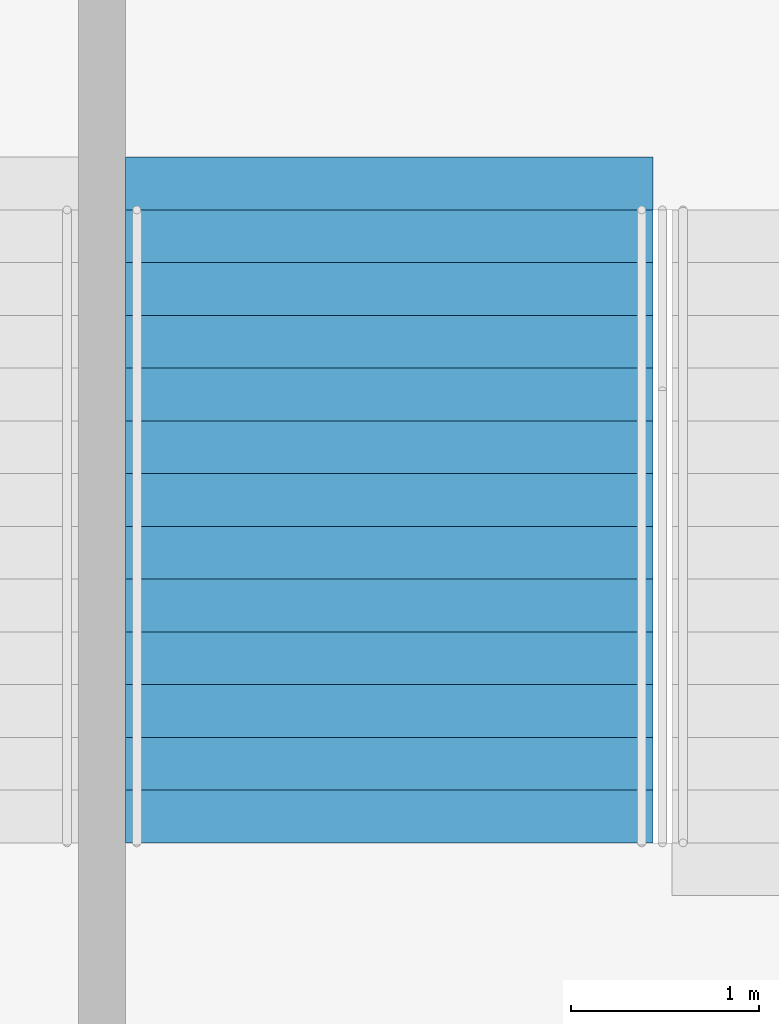
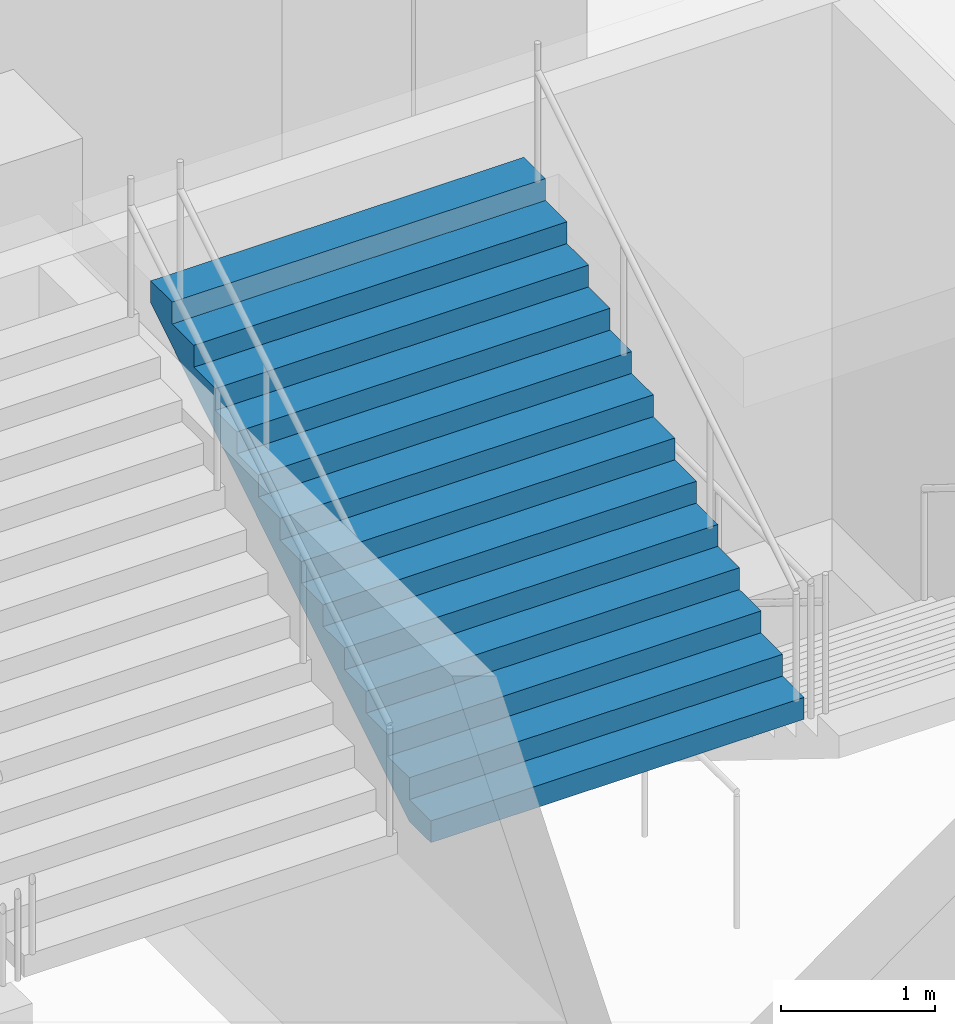
# One storey, part 144 of 249: 1 stair flight, 1 element without a shape of its own.
"""IFC4 building model written with IfcOpenShell, lengths in metres."""

from ifc_helpers import new_model, si_unit, direction, frame, origin, place, context, subcontext, project, spatial, faceted_brep, material, type_object, element, aggregate, save


model = new_model("IFC4")

# Units and contexts
model_context = context("Model", 3, precision=1e-05, world=origin(), true_north=direction((0.0, 1.0)))
body_context = subcontext(model_context, "Body", "Model", "MODEL_VIEW")
ifc_project = project(units=[si_unit("LENGTHUNIT", "METRE"), si_unit("AREAUNIT", "SQUARE_METRE"), si_unit("VOLUMEUNIT", "CUBIC_METRE"), si_unit("PLANEANGLEUNIT", "RADIAN"), si_unit("MASSUNIT", "GRAM", prefix="KILO")], contexts=[model_context])

# Site, building, storey
site_placement = place(None, origin())
site = spatial("IfcSite", under=ifc_project, at=site_placement, CompositionType="ELEMENT")
building_placement = place(site_placement, origin())
building = spatial("IfcBuilding", under=site, at=building_placement, Name="Ogive Plaza Stadium", CompositionType="ELEMENT")
storey_placement = place(building_placement, frame((0.0, 0.0, 13.5)))
storey = spatial("IfcBuildingStorey", under=building, at=storey_placement, Name="L03", CompositionType="ELEMENT", Elevation=13.5)

# Stair, stair flight
ifc_material_1 = material(Name="Concrete C40/50", Category="concrete")
stair_type = type_object("IfcStairType", Name="Exit stair", PredefinedType="STRAIGHT_RUN_STAIR", material=ifc_material_1)
stair_placement = place(storey_placement, origin())
stair = element("IfcStair", 1, at=stair_placement, inside=storey, type_object=stair_type, Name="Exit stair ST16B L03 to L04", PredefinedType="STRAIGHT_RUN_STAIR")
ifc_material_2 = material(Name="Concrete C40/50", Category="concrete")
stair_flight_type = type_object("IfcStairFlightType", Name="Exit stair flight", PredefinedType="STRAIGHT", material=ifc_material_2)
stair_flight_placement = place(storey_placement, frame((-18.875, -98.2099609375, 2.25), z_axis=(0.0, 0.0, 1.0), x_axis=(0.0, 1.0, 0.0)))
stair_flight = element("IfcStairFlight", 2, at=stair_flight_placement, type_object=stair_flight_type, Name="ST16B flight 2", NumberOfRisers=13, NumberOfTreads=12, PredefinedType="STRAIGHT", RiserHeight=0.173076923, TreadLength=0.28, context=body_context, shape_type="Brep", body=[
    faceted_brep([(0.28515625, -1.39990234375, 0.0), (3.639892578125, -1.39990234375, 2.07373046875), (3.639892578125, -1.39990234375, 2.25), (3.360107421875, -1.39990234375, 2.25), (3.360107421875, -1.39990234375, 2.076904296875), (3.080078125, -1.39990234375, 2.076904296875), (3.080078125, -1.39990234375, 1.90380859375), (2.800048828125, -1.39990234375, 1.90380859375), (2.800048828125, -1.39990234375, 1.730712890625), (2.52001953125, -1.39990234375, 1.730712890625), (2.52001953125, -1.39990234375, 1.5576171875), (2.239990234375, -1.39990234375, 1.5576171875), (2.239990234375, -1.39990234375, 1.384521484375), (1.9599609375, -1.39990234375, 1.384521484375), (1.9599609375, -1.39990234375, 1.21142578125), (1.679931640625, -1.39990234375, 1.21142578125), (1.679931640625, -1.39990234375, 1.03857421875), (1.39990234375, -1.39990234375, 1.03857421875), (1.39990234375, -1.39990234375, 0.865478515625), (1.1201171875, -1.39990234375, 0.865478515625), (1.1201171875, -1.39990234375, 0.6923828125), (0.840087890625, -1.39990234375, 0.6923828125), (0.840087890625, -1.39990234375, 0.519287109375), (0.56005859375, -1.39990234375, 0.519287109375), (0.56005859375, -1.39990234375, 0.34619140625), (0.280029296875, -1.39990234375, 0.34619140625), (0.280029296875, -1.39990234375, 0.173095703125), (0.0, -1.39990234375, 0.173095703125), (0.0, -1.39990234375, 0.0), (0.0, 1.39990234375, 0.0), (0.0, 1.39990234375, 0.173095703125), (0.280029296875, 1.39990234375, 0.173095703125), (0.280029296875, 1.39990234375, 0.34619140625), (0.56005859375, 1.39990234375, 0.34619140625), (0.56005859375, 1.39990234375, 0.519287109375), (0.840087890625, 1.39990234375, 0.519287109375), (0.840087890625, 1.39990234375, 0.6923828125), (1.1201171875, 1.39990234375, 0.6923828125), (1.1201171875, 1.39990234375, 0.865478515625), (1.39990234375, 1.39990234375, 0.865478515625), (1.39990234375, 1.39990234375, 1.03857421875), (1.679931640625, 1.39990234375, 1.03857421875), (1.679931640625, 1.39990234375, 1.21142578125), (1.9599609375, 1.39990234375, 1.21142578125), (1.9599609375, 1.39990234375, 1.384521484375), (2.239990234375, 1.39990234375, 1.384521484375), (2.239990234375, 1.39990234375, 1.5576171875), (2.52001953125, 1.39990234375, 1.5576171875), (2.52001953125, 1.39990234375, 1.730712890625), (2.800048828125, 1.39990234375, 1.730712890625), (2.800048828125, 1.39990234375, 1.90380859375), (3.080078125, 1.39990234375, 1.90380859375), (3.080078125, 1.39990234375, 2.076904296875), (3.360107421875, 1.39990234375, 2.076904296875), (3.360107421875, 1.39990234375, 2.25), (3.639892578125, 1.39990234375, 2.25), (3.639892578125, 1.39990234375, 2.07373046875), (0.28515625, 1.39990234375, 0.0), (0.28515625, -1.0888671875, 0.0), (3.639892578125, -1.0888671875, 2.07373046875), (0.28515625, -0.77783203125, 0.0), (3.639892578125, -0.77783203125, 2.07373046875), (0.28515625, -0.466796875, 0.0), (3.639892578125, -0.466796875, 2.07373046875), (0.28515625, -0.155517578125, 0.0), (3.639892578125, -0.155517578125, 2.07373046875), (0.28515625, 0.155517578125, 0.0), (3.639892578125, 0.155517578125, 2.07373046875), (0.28515625, 0.466796875, 0.0), (3.639892578125, 0.466796875, 2.07373046875), (0.28515625, 0.77783203125, 0.0), (3.639892578125, 0.77783203125, 2.07373046875), (0.28515625, 1.0888671875, 0.0), (3.639892578125, 1.0888671875, 2.07373046875), (3.639892578125, -1.0888671875, 2.25), (3.639892578125, -0.77783203125, 2.25), (3.639892578125, -0.466796875, 2.25), (3.639892578125, -0.155517578125, 2.25), (3.639892578125, 0.155517578125, 2.25), (3.639892578125, 0.466796875, 2.25), (3.639892578125, 0.77783203125, 2.25), (3.639892578125, 1.0888671875, 2.25), (3.360107421875, -1.0888671875, 2.25), (3.360107421875, -0.77783203125, 2.25), (3.360107421875, -0.466796875, 2.25), (3.360107421875, -0.155517578125, 2.25), (3.360107421875, 0.155517578125, 2.25), (3.360107421875, 0.466796875, 2.25), (3.360107421875, 0.77783203125, 2.25), (3.360107421875, 1.0888671875, 2.25), (3.360107421875, -1.0888671875, 2.076904296875), (3.360107421875, -0.77783203125, 2.076904296875), (3.360107421875, -0.466796875, 2.076904296875), (3.360107421875, -0.155517578125, 2.076904296875), (3.360107421875, 0.155517578125, 2.076904296875), (3.360107421875, 0.466796875, 2.076904296875), (3.360107421875, 0.77783203125, 2.076904296875), (3.360107421875, 1.0888671875, 2.076904296875), (3.080078125, -1.0888671875, 2.076904296875), (3.080078125, -0.77783203125, 2.076904296875), (3.080078125, -0.466796875, 2.076904296875), (3.080078125, -0.155517578125, 2.076904296875), (3.080078125, 0.155517578125, 2.076904296875), (3.080078125, 0.466796875, 2.076904296875), (3.080078125, 0.77783203125, 2.076904296875), (3.080078125, 1.0888671875, 2.076904296875), (3.080078125, -1.0888671875, 1.90380859375), (3.080078125, -0.77783203125, 1.90380859375), (3.080078125, -0.466796875, 1.90380859375), (3.080078125, -0.155517578125, 1.90380859375), (3.080078125, 0.155517578125, 1.90380859375), (3.080078125, 0.466796875, 1.90380859375), (3.080078125, 0.77783203125, 1.90380859375), (3.080078125, 1.0888671875, 1.90380859375), (2.800048828125, -1.0888671875, 1.90380859375), (2.800048828125, -0.77783203125, 1.90380859375), (2.800048828125, -0.466796875, 1.90380859375), (2.800048828125, -0.155517578125, 1.90380859375), (2.800048828125, 0.155517578125, 1.90380859375), (2.800048828125, 0.466796875, 1.90380859375), (2.800048828125, 0.77783203125, 1.90380859375), (2.800048828125, 1.0888671875, 1.90380859375), (2.800048828125, -1.0888671875, 1.730712890625), (2.800048828125, -0.77783203125, 1.730712890625), (2.800048828125, -0.466796875, 1.730712890625), (2.800048828125, -0.155517578125, 1.730712890625), (2.800048828125, 0.155517578125, 1.730712890625), (2.800048828125, 0.466796875, 1.730712890625), (2.800048828125, 0.77783203125, 1.730712890625), (2.800048828125, 1.0888671875, 1.730712890625), (2.52001953125, -1.0888671875, 1.730712890625), (2.52001953125, -0.77783203125, 1.730712890625), (2.52001953125, -0.466796875, 1.730712890625), (2.52001953125, -0.155517578125, 1.730712890625), (2.52001953125, 0.155517578125, 1.730712890625), (2.52001953125, 0.466796875, 1.730712890625), (2.52001953125, 0.77783203125, 1.730712890625), (2.52001953125, 1.0888671875, 1.730712890625), (2.52001953125, -1.0888671875, 1.5576171875), (2.52001953125, -0.77783203125, 1.5576171875), (2.52001953125, -0.466796875, 1.5576171875), (2.52001953125, -0.155517578125, 1.5576171875), (2.52001953125, 0.155517578125, 1.5576171875), (2.52001953125, 0.466796875, 1.5576171875), (2.52001953125, 0.77783203125, 1.5576171875), (2.52001953125, 1.0888671875, 1.5576171875), (2.239990234375, -1.0888671875, 1.5576171875), (2.239990234375, -0.77783203125, 1.5576171875), (2.239990234375, -0.466796875, 1.5576171875), (2.239990234375, -0.155517578125, 1.5576171875), (2.239990234375, 0.155517578125, 1.5576171875), (2.239990234375, 0.466796875, 1.5576171875), (2.239990234375, 0.77783203125, 1.5576171875), (2.239990234375, 1.0888671875, 1.5576171875), (2.239990234375, -1.0888671875, 1.384521484375), (2.239990234375, -0.77783203125, 1.384521484375), (2.239990234375, -0.466796875, 1.384521484375), (2.239990234375, -0.155517578125, 1.384521484375), (2.239990234375, 0.155517578125, 1.384521484375), (2.239990234375, 0.466796875, 1.384521484375), (2.239990234375, 0.77783203125, 1.384521484375), (2.239990234375, 1.0888671875, 1.384521484375), (1.9599609375, -1.0888671875, 1.384521484375), (1.9599609375, -0.77783203125, 1.384521484375), (1.9599609375, -0.466796875, 1.384521484375), (1.9599609375, -0.155517578125, 1.384521484375), (1.9599609375, 0.155517578125, 1.384521484375), (1.9599609375, 0.466796875, 1.384521484375), (1.9599609375, 0.77783203125, 1.384521484375), (1.9599609375, 1.0888671875, 1.384521484375), (1.9599609375, -1.0888671875, 1.21142578125), (1.9599609375, -0.77783203125, 1.21142578125), (1.9599609375, -0.466796875, 1.21142578125), (1.9599609375, -0.155517578125, 1.21142578125), (1.9599609375, 0.155517578125, 1.21142578125), (1.9599609375, 0.466796875, 1.21142578125), (1.9599609375, 0.77783203125, 1.21142578125), (1.9599609375, 1.0888671875, 1.21142578125), (1.679931640625, -1.0888671875, 1.21142578125), (1.679931640625, -0.77783203125, 1.21142578125), (1.679931640625, -0.466796875, 1.21142578125), (1.679931640625, -0.155517578125, 1.21142578125), (1.679931640625, 0.155517578125, 1.21142578125), (1.679931640625, 0.466796875, 1.21142578125), (1.679931640625, 0.77783203125, 1.21142578125), (1.679931640625, 1.0888671875, 1.21142578125), (1.679931640625, -1.0888671875, 1.03857421875), (1.679931640625, -0.77783203125, 1.03857421875), (1.679931640625, -0.466796875, 1.03857421875), (1.679931640625, -0.155517578125, 1.03857421875), (1.679931640625, 0.155517578125, 1.03857421875), (1.679931640625, 0.466796875, 1.03857421875), (1.679931640625, 0.77783203125, 1.03857421875), (1.679931640625, 1.0888671875, 1.03857421875), (1.39990234375, -1.0888671875, 1.03857421875), (1.39990234375, -0.77783203125, 1.03857421875), (1.39990234375, -0.466796875, 1.03857421875), (1.39990234375, -0.155517578125, 1.03857421875), (1.39990234375, 0.155517578125, 1.03857421875), (1.39990234375, 0.466796875, 1.03857421875), (1.39990234375, 0.77783203125, 1.03857421875), (1.39990234375, 1.0888671875, 1.03857421875), (1.39990234375, -1.0888671875, 0.865478515625), (1.39990234375, -0.77783203125, 0.865478515625), (1.39990234375, -0.466796875, 0.865478515625), (1.39990234375, -0.155517578125, 0.865478515625), (1.39990234375, 0.155517578125, 0.865478515625), (1.39990234375, 0.466796875, 0.865478515625), (1.39990234375, 0.77783203125, 0.865478515625), (1.39990234375, 1.0888671875, 0.865478515625), (1.1201171875, -1.0888671875, 0.865478515625), (1.1201171875, -0.77783203125, 0.865478515625), (1.1201171875, -0.466796875, 0.865478515625), (1.1201171875, -0.155517578125, 0.865478515625), (1.1201171875, 0.155517578125, 0.865478515625), (1.1201171875, 0.466796875, 0.865478515625), (1.1201171875, 0.77783203125, 0.865478515625), (1.1201171875, 1.0888671875, 0.865478515625), (1.1201171875, -1.0888671875, 0.6923828125), (1.1201171875, -0.77783203125, 0.6923828125), (1.1201171875, -0.466796875, 0.6923828125), (1.1201171875, -0.155517578125, 0.6923828125), (1.1201171875, 0.155517578125, 0.6923828125), (1.1201171875, 0.466796875, 0.6923828125), (1.1201171875, 0.77783203125, 0.6923828125), (1.1201171875, 1.0888671875, 0.6923828125), (0.840087890625, -1.0888671875, 0.6923828125), (0.840087890625, -0.77783203125, 0.6923828125), (0.840087890625, -0.466796875, 0.6923828125), (0.840087890625, -0.155517578125, 0.6923828125), (0.840087890625, 0.155517578125, 0.6923828125), (0.840087890625, 0.466796875, 0.6923828125), (0.840087890625, 0.77783203125, 0.6923828125), (0.840087890625, 1.0888671875, 0.6923828125), (0.840087890625, -1.0888671875, 0.519287109375), (0.840087890625, -0.77783203125, 0.519287109375), (0.840087890625, -0.466796875, 0.519287109375), (0.840087890625, -0.155517578125, 0.519287109375), (0.840087890625, 0.155517578125, 0.519287109375), (0.840087890625, 0.466796875, 0.519287109375), (0.840087890625, 0.77783203125, 0.519287109375), (0.840087890625, 1.0888671875, 0.519287109375), (0.56005859375, -1.0888671875, 0.519287109375), (0.56005859375, -0.77783203125, 0.519287109375), (0.56005859375, -0.466796875, 0.519287109375), (0.56005859375, -0.155517578125, 0.519287109375), (0.56005859375, 0.155517578125, 0.519287109375), (0.56005859375, 0.466796875, 0.519287109375), (0.56005859375, 0.77783203125, 0.519287109375), (0.56005859375, 1.0888671875, 0.519287109375), (0.56005859375, -1.0888671875, 0.34619140625), (0.56005859375, -0.77783203125, 0.34619140625), (0.56005859375, -0.466796875, 0.34619140625), (0.56005859375, -0.155517578125, 0.34619140625), (0.56005859375, 0.155517578125, 0.34619140625), (0.56005859375, 0.466796875, 0.34619140625), (0.56005859375, 0.77783203125, 0.34619140625), (0.56005859375, 1.0888671875, 0.34619140625), (0.280029296875, -1.0888671875, 0.34619140625), (0.280029296875, -0.77783203125, 0.34619140625), (0.280029296875, -0.466796875, 0.34619140625), (0.280029296875, -0.155517578125, 0.34619140625), (0.280029296875, 0.155517578125, 0.34619140625), (0.280029296875, 0.466796875, 0.34619140625), (0.280029296875, 0.77783203125, 0.34619140625), (0.280029296875, 1.0888671875, 0.34619140625), (0.280029296875, -1.0888671875, 0.173095703125), (0.280029296875, -0.77783203125, 0.173095703125), (0.280029296875, -0.466796875, 0.173095703125), (0.280029296875, -0.155517578125, 0.173095703125), (0.280029296875, 0.155517578125, 0.173095703125), (0.280029296875, 0.466796875, 0.173095703125), (0.280029296875, 0.77783203125, 0.173095703125), (0.280029296875, 1.0888671875, 0.173095703125), (0.0, -1.0888671875, 0.173095703125), (0.0, -0.77783203125, 0.173095703125), (0.0, -0.466796875, 0.173095703125), (0.0, -0.155517578125, 0.173095703125), (0.0, 0.155517578125, 0.173095703125), (0.0, 0.466796875, 0.173095703125), (0.0, 0.77783203125, 0.173095703125), (0.0, 1.0888671875, 0.173095703125), (0.0, -1.0888671875, 0.0), (0.0, -0.77783203125, 0.0), (0.0, -0.466796875, 0.0), (0.0, -0.155517578125, 0.0), (0.0, 0.155517578125, 0.0), (0.0, 0.466796875, 0.0), (0.0, 0.77783203125, 0.0), (0.0, 1.0888671875, 0.0)], [[[0, 1, 2, 3, 4, 5, 6, 7, 8, 9, 10, 11, 12, 13, 14, 15, 16, 17, 18, 19, 20, 21, 22, 23, 24, 25, 26, 27, 28]], [[29, 30, 31, 32, 33, 34, 35, 36, 37, 38, 39, 40, 41, 42, 43, 44, 45, 46, 47, 48, 49, 50, 51, 52, 53, 54, 55, 56, 57]], [[0, 58, 59, 1]], [[58, 60, 61, 59]], [[60, 62, 63, 61]], [[62, 64, 65, 63]], [[64, 66, 67, 65]], [[66, 68, 69, 67]], [[68, 70, 71, 69]], [[70, 72, 73, 71]], [[72, 57, 56, 73]], [[1, 59, 74, 2]], [[59, 61, 75, 74]], [[61, 63, 76, 75]], [[63, 65, 77, 76]], [[65, 67, 78, 77]], [[67, 69, 79, 78]], [[69, 71, 80, 79]], [[71, 73, 81, 80]], [[73, 56, 55, 81]], [[2, 74, 82, 3]], [[74, 75, 83, 82]], [[75, 76, 84, 83]], [[76, 77, 85, 84]], [[77, 78, 86, 85]], [[78, 79, 87, 86]], [[79, 80, 88, 87]], [[80, 81, 89, 88]], [[81, 55, 54, 89]], [[3, 82, 90, 4]], [[82, 83, 91, 90]], [[83, 84, 92, 91]], [[84, 85, 93, 92]], [[85, 86, 94, 93]], [[86, 87, 95, 94]], [[87, 88, 96, 95]], [[88, 89, 97, 96]], [[89, 54, 53, 97]], [[4, 90, 98, 5]], [[90, 91, 99, 98]], [[91, 92, 100, 99]], [[92, 93, 101, 100]], [[93, 94, 102, 101]], [[94, 95, 103, 102]], [[95, 96, 104, 103]], [[96, 97, 105, 104]], [[97, 53, 52, 105]], [[5, 98, 106, 6]], [[98, 99, 107, 106]], [[99, 100, 108, 107]], [[100, 101, 109, 108]], [[101, 102, 110, 109]], [[102, 103, 111, 110]], [[103, 104, 112, 111]], [[104, 105, 113, 112]], [[105, 52, 51, 113]], [[6, 106, 114, 7]], [[106, 107, 115, 114]], [[107, 108, 116, 115]], [[108, 109, 117, 116]], [[109, 110, 118, 117]], [[110, 111, 119, 118]], [[111, 112, 120, 119]], [[112, 113, 121, 120]], [[113, 51, 50, 121]], [[7, 114, 122, 8]], [[114, 115, 123, 122]], [[115, 116, 124, 123]], [[116, 117, 125, 124]], [[117, 118, 126, 125]], [[118, 119, 127, 126]], [[119, 120, 128, 127]], [[120, 121, 129, 128]], [[121, 50, 49, 129]], [[8, 122, 130, 9]], [[122, 123, 131, 130]], [[123, 124, 132, 131]], [[124, 125, 133, 132]], [[125, 126, 134, 133]], [[126, 127, 135, 134]], [[127, 128, 136, 135]], [[128, 129, 137, 136]], [[129, 49, 48, 137]], [[9, 130, 138, 10]], [[130, 131, 139, 138]], [[131, 132, 140, 139]], [[132, 133, 141, 140]], [[133, 134, 142, 141]], [[134, 135, 143, 142]], [[135, 136, 144, 143]], [[136, 137, 145, 144]], [[137, 48, 47, 145]], [[10, 138, 146, 11]], [[138, 139, 147, 146]], [[139, 140, 148, 147]], [[140, 141, 149, 148]], [[141, 142, 150, 149]], [[142, 143, 151, 150]], [[143, 144, 152, 151]], [[144, 145, 153, 152]], [[145, 47, 46, 153]], [[11, 146, 154, 12]], [[146, 147, 155, 154]], [[147, 148, 156, 155]], [[148, 149, 157, 156]], [[149, 150, 158, 157]], [[150, 151, 159, 158]], [[151, 152, 160, 159]], [[152, 153, 161, 160]], [[153, 46, 45, 161]], [[12, 154, 162, 13]], [[154, 155, 163, 162]], [[155, 156, 164, 163]], [[156, 157, 165, 164]], [[157, 158, 166, 165]], [[158, 159, 167, 166]], [[159, 160, 168, 167]], [[160, 161, 169, 168]], [[161, 45, 44, 169]], [[13, 162, 170, 14]], [[162, 163, 171, 170]], [[163, 164, 172, 171]], [[164, 165, 173, 172]], [[165, 166, 174, 173]], [[166, 167, 175, 174]], [[167, 168, 176, 175]], [[168, 169, 177, 176]], [[169, 44, 43, 177]], [[14, 170, 178, 15]], [[170, 171, 179, 178]], [[171, 172, 180, 179]], [[172, 173, 181, 180]], [[173, 174, 182, 181]], [[174, 175, 183, 182]], [[175, 176, 184, 183]], [[176, 177, 185, 184]], [[177, 43, 42, 185]], [[15, 178, 186, 16]], [[178, 179, 187, 186]], [[179, 180, 188, 187]], [[180, 181, 189, 188]], [[181, 182, 190, 189]], [[182, 183, 191, 190]], [[183, 184, 192, 191]], [[184, 185, 193, 192]], [[185, 42, 41, 193]], [[16, 186, 194, 17]], [[186, 187, 195, 194]], [[187, 188, 196, 195]], [[188, 189, 197, 196]], [[189, 190, 198, 197]], [[190, 191, 199, 198]], [[191, 192, 200, 199]], [[192, 193, 201, 200]], [[193, 41, 40, 201]], [[17, 194, 202, 18]], [[194, 195, 203, 202]], [[195, 196, 204, 203]], [[196, 197, 205, 204]], [[197, 198, 206, 205]], [[198, 199, 207, 206]], [[199, 200, 208, 207]], [[200, 201, 209, 208]], [[201, 40, 39, 209]], [[18, 202, 210, 19]], [[202, 203, 211, 210]], [[203, 204, 212, 211]], [[204, 205, 213, 212]], [[205, 206, 214, 213]], [[206, 207, 215, 214]], [[207, 208, 216, 215]], [[208, 209, 217, 216]], [[209, 39, 38, 217]], [[19, 210, 218, 20]], [[210, 211, 219, 218]], [[211, 212, 220, 219]], [[212, 213, 221, 220]], [[213, 214, 222, 221]], [[214, 215, 223, 222]], [[215, 216, 224, 223]], [[216, 217, 225, 224]], [[217, 38, 37, 225]], [[20, 218, 226, 21]], [[218, 219, 227, 226]], [[219, 220, 228, 227]], [[220, 221, 229, 228]], [[221, 222, 230, 229]], [[222, 223, 231, 230]], [[223, 224, 232, 231]], [[224, 225, 233, 232]], [[225, 37, 36, 233]], [[21, 226, 234, 22]], [[226, 227, 235, 234]], [[227, 228, 236, 235]], [[228, 229, 237, 236]], [[229, 230, 238, 237]], [[230, 231, 239, 238]], [[231, 232, 240, 239]], [[232, 233, 241, 240]], [[233, 36, 35, 241]], [[22, 234, 242, 23]], [[234, 235, 243, 242]], [[235, 236, 244, 243]], [[236, 237, 245, 244]], [[237, 238, 246, 245]], [[238, 239, 247, 246]], [[239, 240, 248, 247]], [[240, 241, 249, 248]], [[241, 35, 34, 249]], [[23, 242, 250, 24]], [[242, 243, 251, 250]], [[243, 244, 252, 251]], [[244, 245, 253, 252]], [[245, 246, 254, 253]], [[246, 247, 255, 254]], [[247, 248, 256, 255]], [[248, 249, 257, 256]], [[249, 34, 33, 257]], [[24, 250, 258, 25]], [[250, 251, 259, 258]], [[251, 252, 260, 259]], [[252, 253, 261, 260]], [[253, 254, 262, 261]], [[254, 255, 263, 262]], [[255, 256, 264, 263]], [[256, 257, 265, 264]], [[257, 33, 32, 265]], [[25, 258, 266, 26]], [[258, 259, 267, 266]], [[259, 260, 268, 267]], [[260, 261, 269, 268]], [[261, 262, 270, 269]], [[262, 263, 271, 270]], [[263, 264, 272, 271]], [[264, 265, 273, 272]], [[265, 32, 31, 273]], [[26, 266, 274, 27]], [[266, 267, 275, 274]], [[267, 268, 276, 275]], [[268, 269, 277, 276]], [[269, 270, 278, 277]], [[270, 271, 279, 278]], [[271, 272, 280, 279]], [[272, 273, 281, 280]], [[273, 31, 30, 281]], [[27, 274, 282, 28]], [[274, 275, 283, 282]], [[275, 276, 284, 283]], [[276, 277, 285, 284]], [[277, 278, 286, 285]], [[278, 279, 287, 286]], [[279, 280, 288, 287]], [[280, 281, 289, 288]], [[281, 30, 29, 289]], [[28, 282, 58, 0]], [[282, 283, 60, 58]], [[283, 284, 62, 60]], [[284, 285, 64, 62]], [[285, 286, 66, 64]], [[286, 287, 68, 66]], [[287, 288, 70, 68]], [[288, 289, 72, 70]], [[289, 29, 57, 72]]]),
])
aggregate(stair, [stair_flight])

save(model, "model.ifc")
